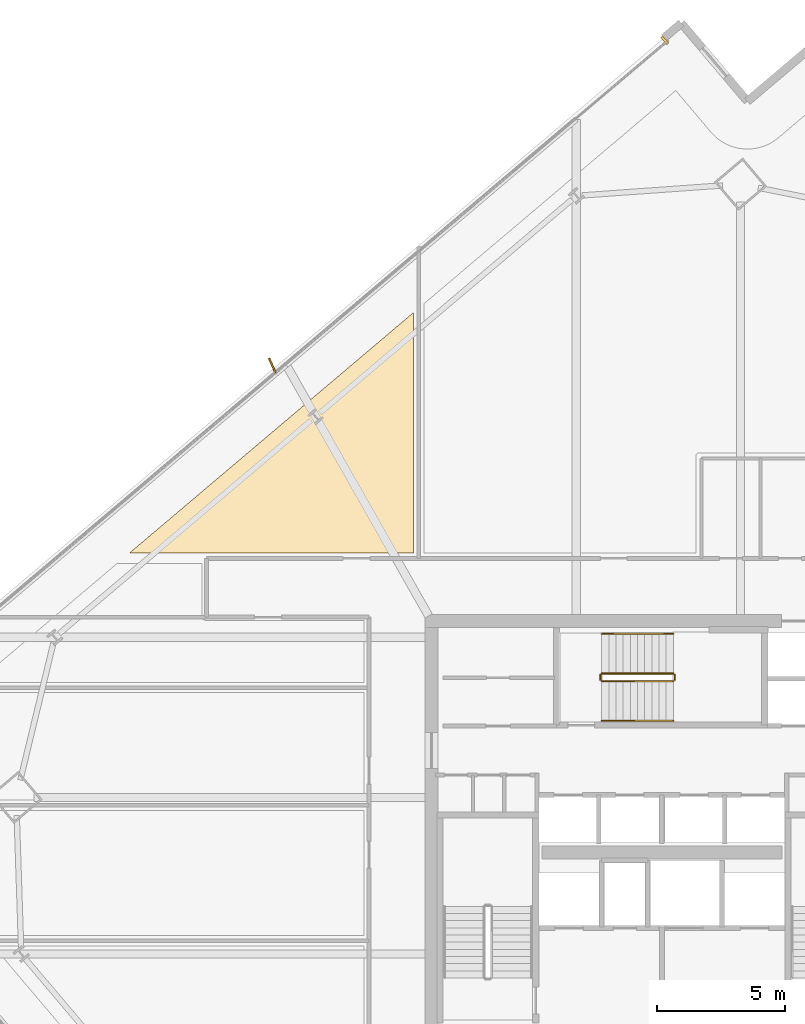
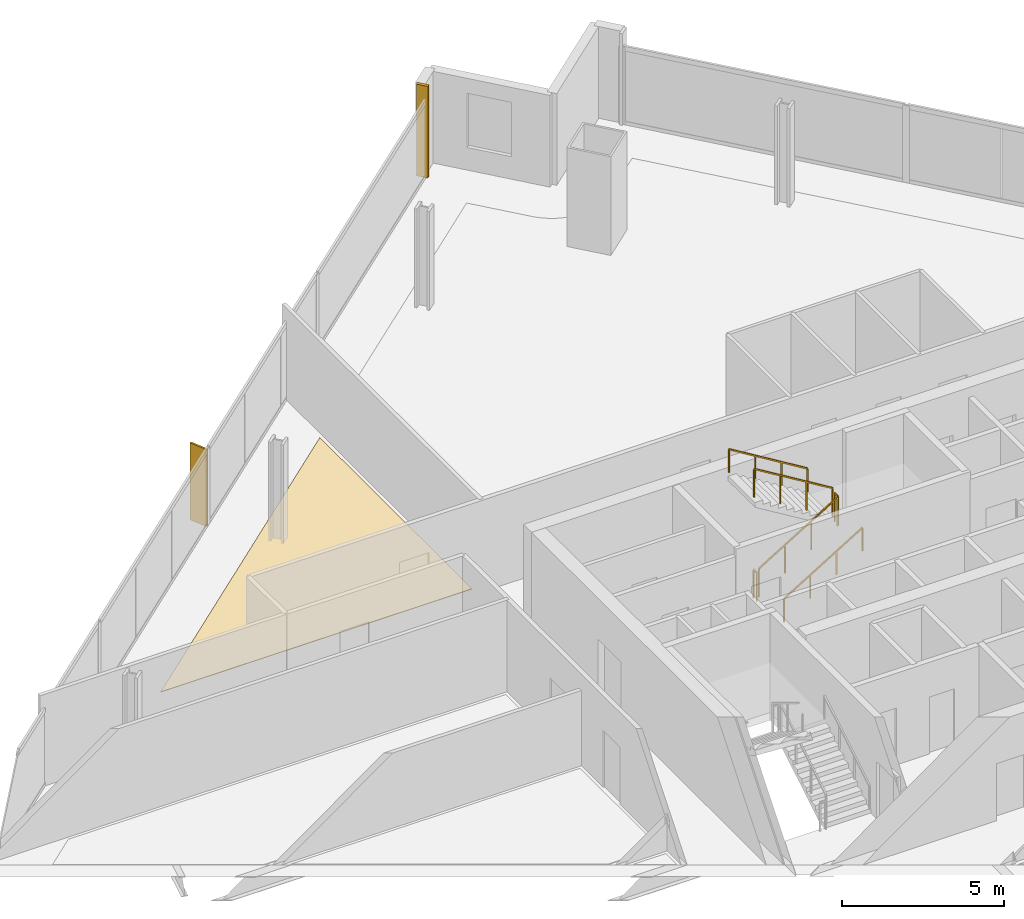
# One storey, part 33 of 34: 6 railings, 2 coverings, 1 shading device.
"""IFC4 building model written with IfcOpenShell, lengths in metres."""

from ifc_helpers import new_model, si_unit, direction, frame, origin, origin_2d, place, context, subcontext, project, spatial, polyline, rectangle, outline, extrude, source, transform, mapped, material, layer, layer_set, type_object, element, save


model = new_model("IFC4")

# Units and contexts
model_context = context("Model", 3, precision=1e-05, world=origin(), true_north=direction((0.0, 1.0)))
body_context = subcontext(model_context, "Body", "Model", "MODEL_VIEW")
ifc_project = project(units=[si_unit("LENGTHUNIT", "METRE"), si_unit("AREAUNIT", "SQUARE_METRE"), si_unit("VOLUMEUNIT", "CUBIC_METRE"), si_unit("PLANEANGLEUNIT", "RADIAN"), si_unit("MASSUNIT", "GRAM", prefix="KILO")], contexts=[model_context])

# Site, building, storey
site_placement = place(None, origin())
site = spatial("IfcSite", under=ifc_project, at=site_placement, CompositionType="ELEMENT")
building_placement = place(site_placement, origin())
building = spatial("IfcBuilding", under=site, at=building_placement, Name="Haldenkirk Collegiate Tower", CompositionType="ELEMENT")
storey_placement = place(building_placement, frame((0.0, 0.0, 163.199951171875)))
storey = spatial("IfcBuildingStorey", under=building, at=storey_placement, Name="L40", CompositionType="ELEMENT", Elevation=163.199951171875)

# Covering
ifc_material_1 = material(Name="Engineered collegiate oak acoustic flooring", Category="wood")
ifc_layer_1 = layer(ifc_material_1, 0.02197265625)
ifc_layer_set_1 = layer_set([ifc_layer_1], Name="Engineered collegiate oak acoustic flooring")
covering_type_1 = type_object("IfcCoveringType", Name="COV-FLOOR-TIMBER", PredefinedType="FLOORING", material=ifc_layer_set_1)
covering_1_placement = place(storey_placement, origin())
element("IfcCovering", 1, at=covering_1_placement, inside=storey, type_object=covering_type_1, Name="L40 academic room finish 05", PredefinedType="FLOORING", context=body_context, shape_type="SweptSolid", body=[
    extrude(outline(polyline([(26.300048828125, 46.062744140625), (26.300048828125, 36.64990234375), (15.18115234375, 36.64990234375), (26.300048828125, 46.062744140625)])), origin(), (0.0, 0.0, 1.0), 0.02197265625),
])

# Railings
ifc_material_2 = material(Name="Painted architectural tubular steel", Category="steel")
railing_type_1 = type_object("IfcRailingType", Name="RLG-STAIR-GUARD-1100", PredefinedType="BALUSTRADE", material=ifc_material_2)
railing_1_placement = place(storey_placement, frame((33.64990234375, 31.64990234375, 0.17041015625)))
element("IfcRailing", 2, at=railing_1_placement, inside=storey, type_object=railing_type_1, Name="L40 ST-3 stair guard 1", PredefinedType="BALUSTRADE", context=body_context, shape_type="SweptSolid", body=[
    extrude(rectangle(XDim=0.048095703125, YDim=0.048095703125, at=origin_2d()), frame((0.0, 0.0, 1.076171875), z_axis=(0.854169791009, 0.0, 0.51999420009), x_axis=(0.0, 1.0, 0.0)), (0.0, 0.0, 1.0), 3.278076171875),
    extrude(rectangle(XDim=0.0419921875, YDim=0.0419921875, at=origin_2d()), origin(), (0.0, 0.0, 1.0), 1.052001953125),
    extrude(rectangle(XDim=0.0419921875, YDim=0.0419921875, at=origin_2d()), frame((0.933349609375, 0.0, 0.568115234375)), (0.0, 0.0, 1.0), 1.052001953125),
    extrude(rectangle(XDim=0.0419921875, YDim=0.0419921875, at=origin_2d()), frame((1.86669921875, 0.0, 1.136474609375)), (0.0, 0.0, 1.0), 1.052001953125),
    extrude(rectangle(XDim=0.0419921875, YDim=0.0419921875, at=origin_2d()), frame((2.800048828125, 0.0, 1.70458984375)), (0.0, 0.0, 1.0), 1.052001953125),
])
railing_2_placement = place(storey_placement, frame((36.5, 31.699951171875, 1.875)))
element("IfcRailing", 3, at=railing_2_placement, inside=storey, type_object=railing_type_1, Name="L40 ST-3 stair guard 2", PredefinedType="BALUSTRADE", context=body_context, shape_type="SweptSolid", body=[
    extrude(rectangle(XDim=0.048095703125, YDim=0.048095703125, at=origin_2d()), frame((0.0, 0.0, 1.076171875), z_axis=(0.0, 1.0, 0.0), x_axis=(-1.0, 0.0, 0.0)), (0.0, 0.0, 1.0), 0.199951171875),
    extrude(rectangle(XDim=0.0419921875, YDim=0.0419921875, at=origin_2d()), origin(), (0.0, 0.0, 1.0), 1.052001953125),
    extrude(rectangle(XDim=0.0419921875, YDim=0.0419921875, at=origin_2d()), frame((0.0, 0.199951171875, 0.0)), (0.0, 0.0, 1.0), 1.052001953125),
])
railing_3_placement = place(storey_placement, frame((36.449951171875, 31.949951171875, 2.04541015625)))
element("IfcRailing", 4, at=railing_3_placement, inside=storey, type_object=railing_type_1, Name="L40 ST-3 stair guard 3", PredefinedType="BALUSTRADE", context=body_context, shape_type="SweptSolid", body=[
    extrude(rectangle(XDim=0.048095703125, YDim=0.048095703125, at=origin_2d()), frame((0.0, 0.0, 1.076171875), z_axis=(-0.854169791009, 0.0, 0.51999420009), x_axis=(0.0, -1.0, 0.0)), (0.0, 0.0, 1.0), 3.278076171875),
    extrude(rectangle(XDim=0.0419921875, YDim=0.0419921875, at=origin_2d()), origin(), (0.0, 0.0, 1.0), 1.052001953125),
    extrude(rectangle(XDim=0.0419921875, YDim=0.0419921875, at=origin_2d()), frame((-0.933349609375, 0.0, 0.568115234375)), (0.0, 0.0, 1.0), 1.052001953125),
    extrude(rectangle(XDim=0.0419921875, YDim=0.0419921875, at=origin_2d()), frame((-1.86669921875, 0.0, 1.136474609375)), (0.0, 0.0, 1.0), 1.052001953125),
    extrude(rectangle(XDim=0.0419921875, YDim=0.0419921875, at=origin_2d()), frame((-2.800048828125, 0.0, 1.70458984375)), (0.0, 0.0, 1.0), 1.052001953125),
])
railing_4_placement = place(storey_placement, frame((33.60009765625, 31.699951171875, 0.0)))
element("IfcRailing", 5, at=railing_4_placement, inside=storey, type_object=railing_type_1, Name="L40 ST-3 stair guard 4", PredefinedType="BALUSTRADE", context=body_context, shape_type="SweptSolid", body=[
    extrude(rectangle(XDim=0.048095703125, YDim=0.048095703125, at=origin_2d()), frame((0.0, 0.0, 1.076171875), z_axis=(0.0, 1.0, 0.0), x_axis=(-1.0, 0.0, 0.0)), (0.0, 0.0, 1.0), 0.199951171875),
    extrude(rectangle(XDim=0.0419921875, YDim=0.0419921875, at=origin_2d()), origin(), (0.0, 0.0, 1.0), 1.052001953125),
    extrude(rectangle(XDim=0.0419921875, YDim=0.0419921875, at=origin_2d()), frame((0.0, 0.199951171875, 0.0)), (0.0, 0.0, 1.0), 1.052001953125),
])
railing_type_2 = type_object("IfcRailingType", Name="RLG-STAIR-HANDRAIL-900", PredefinedType="HANDRAIL", material=ifc_material_2)
railing_5_placement = place(storey_placement, frame((33.64990234375, 30.10009765625, 0.17041015625)))
element("IfcRailing", 6, at=railing_5_placement, inside=storey, type_object=railing_type_2, Name="L40 ST-3 stair handrail 1", PredefinedType="HANDRAIL", context=body_context, shape_type="SweptSolid", body=[
    extrude(rectangle(XDim=0.048095703125, YDim=0.048095703125, at=origin_2d()), frame((0.0, 0.0, 0.8759765625), z_axis=(0.854169791009, 0.0, 0.51999420009), x_axis=(0.0, 1.0, 0.0)), (0.0, 0.0, 1.0), 3.278076171875),
    extrude(rectangle(XDim=0.0419921875, YDim=0.0419921875, at=origin_2d()), origin(), (0.0, 0.0, 1.0), 0.851806640625),
    extrude(rectangle(XDim=0.0419921875, YDim=0.0419921875, at=origin_2d()), frame((0.933349609375, 0.0, 0.568115234375)), (0.0, 0.0, 1.0), 0.851806640625),
    extrude(rectangle(XDim=0.0419921875, YDim=0.0419921875, at=origin_2d()), frame((1.86669921875, 0.0, 1.136474609375)), (0.0, 0.0, 1.0), 0.851806640625),
    extrude(rectangle(XDim=0.0419921875, YDim=0.0419921875, at=origin_2d()), frame((2.800048828125, 0.0, 1.70458984375)), (0.0, 0.0, 1.0), 0.851806640625),
])
railing_6_placement = place(storey_placement, frame((36.449951171875, 33.5, 2.04541015625)))
element("IfcRailing", 7, at=railing_6_placement, inside=storey, type_object=railing_type_2, Name="L40 ST-3 stair handrail 2", PredefinedType="HANDRAIL", context=body_context, shape_type="SweptSolid", body=[
    extrude(rectangle(XDim=0.048095703125, YDim=0.048095703125, at=origin_2d()), frame((0.0, 0.0, 0.8759765625), z_axis=(-0.854169791009, 0.0, 0.51999420009), x_axis=(0.0, -1.0, 0.0)), (0.0, 0.0, 1.0), 3.278076171875),
    extrude(rectangle(XDim=0.0419921875, YDim=0.0419921875, at=origin_2d()), origin(), (0.0, 0.0, 1.0), 0.851806640625),
    extrude(rectangle(XDim=0.0419921875, YDim=0.0419921875, at=origin_2d()), frame((-0.933349609375, 0.0, 0.568115234375)), (0.0, 0.0, 1.0), 0.851806640625),
    extrude(rectangle(XDim=0.0419921875, YDim=0.0419921875, at=origin_2d()), frame((-1.86669921875, 0.0, 1.136474609375)), (0.0, 0.0, 1.0), 0.851806640625),
    extrude(rectangle(XDim=0.0419921875, YDim=0.0419921875, at=origin_2d()), frame((-2.800048828125, 0.0, 1.70458984375)), (0.0, 0.0, 1.0), 0.851806640625),
])

# Covering
ifc_material_3 = material(Name="Anodised architectural bronze aluminium", Category="aluminium")
ifc_layer_2 = layer(ifc_material_3, 0.06005859375)
ifc_layer_set_2 = layer_set([ifc_layer_2], Name="Anodised architectural bronze aluminium")
covering_type_2 = type_object("IfcCoveringType", Name="COV-CLAD-BRONZE-60", PredefinedType="CLADDING", material=ifc_layer_set_2)
shared_shape_1 = source(origin(), body_context, "Body", "SweptSolid", [
    extrude(rectangle(XDim=0.10009765625, YDim=0.3798828125, at=origin_2d()), origin(), (0.0, 0.0, 1.0), 3.4599609375),
])
covering_2_placement = place(storey_placement, frame((36.110107421875, 56.699951171875, 0.0), z_axis=(0.0, 0.0, 1.0), x_axis=(0.763232469783, 0.646123979643, 0.0)))
element("IfcCovering", 8, at=covering_2_placement, inside=storey, type_object=covering_type_2, Name="L40 recessed curtain-wall bronze jamb closure NJR", PredefinedType="CLADDING", context=body_context, shape_type="MappedRepresentation", body=[
    mapped(shared_shape_1, transform((0.0, 0.0, 0.0), x_axis=(1.0, 0.0, 0.0), y_axis=(0.0, 1.0, 0.0), z_axis=(0.0, 0.0, 1.0), scale=1.0)),
])

# Shading device
ifc_layer_3 = layer(ifc_material_3, 0.06494140625)
ifc_layer_set_3 = layer_set([ifc_layer_3], Name="Anodised architectural bronze aluminium")
shading_device_type = type_object("IfcShadingDeviceType", Name="SHD-FIN-BRONZE-620", PredefinedType="USERDEFINED", material=ifc_layer_set_3)
shared_shape_2 = source(origin(), body_context, "Body", "SweptSolid", [
    extrude(rectangle(XDim=0.6201171875, YDim=0.06494140625, at=origin_2d()), origin(), (0.0, 0.0, 1.0), 2.910888671875),
])
shading_device_placement = place(storey_placement, frame((20.774169921875, 43.985595703125, 0.0), z_axis=(0.0, 0.0, 1.0), x_axis=(-0.410718852613, 0.911762043577, 0.0)))
element("IfcShadingDevice", 9, at=shading_device_placement, inside=storey, type_object=shading_device_type, Name="L40 folded bronze solar fin 1", ObjectType="FIN", PredefinedType="USERDEFINED", context=body_context, shape_type="MappedRepresentation", body=[
    mapped(shared_shape_2, transform((0.0, 0.0, 0.0), x_axis=(1.0, 0.0, 0.0), y_axis=(0.0, 1.0, 0.0), z_axis=(0.0, 0.0, 1.0), scale=1.0)),
])

save(model, "model.ifc")
